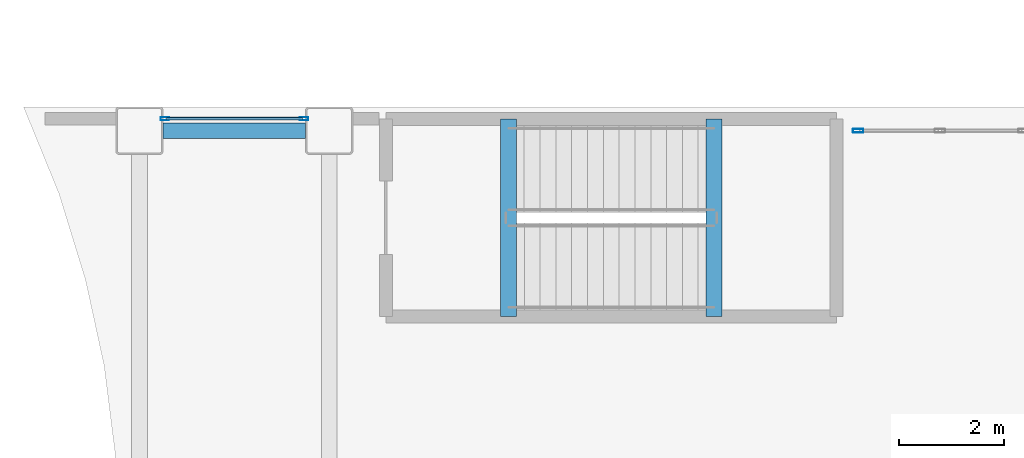
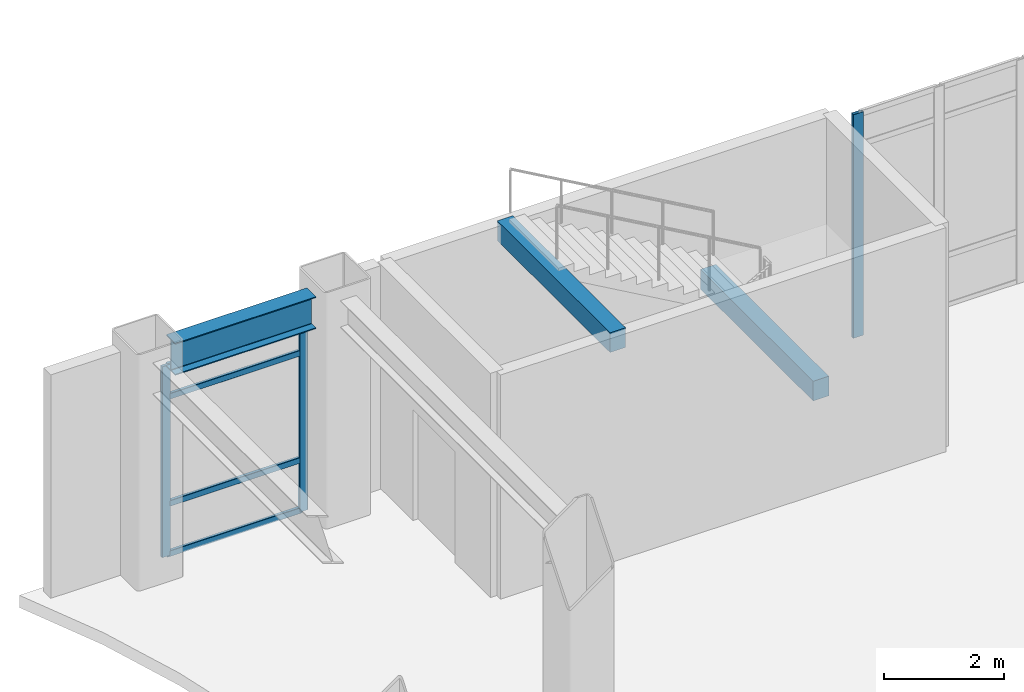
# One storey, part 68 of 172: 7 members, 3 beams, 2 elements without a shape of their own.
"""IFC4 building model written with IfcOpenShell, lengths in metres."""

import ifcopenshell
import ifcopenshell.guid

model = None  # the IFC model being written
_history = None  # IfcOwnerHistory: only IFC2X3 demands one
_inside = {}  # id of a spatial element -> (the spatial element, [elements in it])
_under = {}  # id of a project, library or spatial element -> (it, [spatial elements below it])
_declared = {}  # id of a project -> (the project, [libraries it declares])
_typed = {}  # id of a type object -> (the type object, [elements of that type])
_made_of = {}  # id of a material, layer set ... -> (it, [elements and type objects made of it])


def new_model(schema):
    """Start an empty IFC model of exactly this schema.

    Asked for "IFC4X3", IfcOpenShell would pick the latest addendum, in which some entities
    have other attributes; the version numbers below select the first issue.
    IFC2X3 requires an IfcOwnerHistory on every rooted entity: one is made here for all.
    """
    global model, _history
    if schema == "IFC4X3":
        model = ifcopenshell.file(schema_version=(4, 3, 0, 0))
    else:
        model = ifcopenshell.file(schema=schema)
    _inside.clear()
    _under.clear()
    _declared.clear()
    _typed.clear()
    _made_of.clear()
    _history = None
    if model.schema == "IFC2X3":
        org = make("IfcOrganization", Name="unknown")
        user = make(
            "IfcPersonAndOrganization",
            ThePerson=make("IfcPerson", FamilyName="unknown"),
            TheOrganization=org,
        )
        app = make(
            "IfcApplication",
            ApplicationDeveloper=org,
            Version="unknown",
            ApplicationFullName="unknown",
            ApplicationIdentifier="unknown",
        )
        _history = make(
            "IfcOwnerHistory",
            OwningUser=user,
            OwningApplication=app,
            ChangeAction="ADDED",
            CreationDate=0,
        )
    return model


def make(cls, **values):
    """One entity of the class cls with the attributes given. An attribute that is None is left unset."""
    return model.create_entity(
        cls, **{name: value for name, value in values.items() if value is not None}
    )


def rooted(cls, **values):
    """An entity with a GlobalId (a new one), such as an element, a storey or a relation."""
    return make(cls, GlobalId=ifcopenshell.guid.new(), OwnerHistory=_history, **values)


def si_unit(unit_type, name, prefix=None):
    """IfcSIUnit, for example si_unit("LENGTHUNIT", "METRE", prefix="MILLI")."""
    return make("IfcSIUnit", UnitType=unit_type, Prefix=prefix, Name=name)


def assignment(units):
    """IfcUnitAssignment: the units of a project."""
    return None if units is None else make("IfcUnitAssignment", Units=units)


def point(xyz):
    """IfcCartesianPoint."""
    return None if xyz is None else make("IfcCartesianPoint", Coordinates=xyz)


def direction(xyz):
    """IfcDirection."""
    return None if xyz is None else make("IfcDirection", DirectionRatios=xyz)


def frame(location, z_axis=None, x_axis=None):
    """IfcAxis2Placement3D, a coordinate frame: its origin and axes. An axis left out is left unset."""
    return make(
        "IfcAxis2Placement3D",
        Location=point(location),
        Axis=direction(z_axis),
        RefDirection=direction(x_axis),
    )


def frame_2d(location, x_axis=None):
    """IfcAxis2Placement2D, a coordinate frame in the plane: its origin and x axis."""
    return make(
        "IfcAxis2Placement2D", Location=point(location), RefDirection=direction(x_axis)
    )


def origin():
    """The frame at (0, 0, 0) with its axes left unset."""
    return frame((0.0, 0.0, 0.0))


def origin_2d():
    """The frame at (0, 0) in the plane with its x axis left unset."""
    return frame_2d((0.0, 0.0))


def place(relative_to, where):
    """IfcLocalPlacement: puts the frame where relative to a parent placement (None: the world)."""
    return make(
        "IfcLocalPlacement", PlacementRelTo=relative_to, RelativePlacement=where
    )


def context(
    kind, dimensions, precision=None, world=None, true_north=None, identifier=None
):
    """IfcGeometricRepresentationContext, for example the 3D "Model" context."""
    return make(
        "IfcGeometricRepresentationContext",
        ContextIdentifier=identifier,
        ContextType=kind,
        CoordinateSpaceDimension=dimensions,
        Precision=precision,
        WorldCoordinateSystem=world,
        TrueNorth=true_north,
    )


def subcontext(parent, identifier, kind, view, scale=None):
    """IfcGeometricRepresentationSubContext, for example "Body" below "Model"."""
    return make(
        "IfcGeometricRepresentationSubContext",
        ContextIdentifier=identifier,
        ContextType=kind,
        ParentContext=parent,
        TargetScale=scale,
        TargetView=view,
    )


def project(units=None, contexts=None):
    """IfcProject with its units and contexts."""
    return rooted(
        "IfcProject",
        Name="project",
        RepresentationContexts=contexts,
        UnitsInContext=assignment(units),
    )


def spatial(cls, under=None, at=None, **own):
    """A site, building, storey or space (cls), placed at a placement, below another one or the project."""
    s = rooted(cls, ObjectPlacement=at, **own)
    if under is not None:
        _under.setdefault(under.id(), (under, []))[1].append(s)
    return s


def profile(cls, at=None, kind="AREA", **sizes):
    """A parametric profile (cls). Its sizes go by their IFC names, for example OverallWidth=200.0."""
    return make(cls, ProfileType=kind, Position=at, **sizes)


def rectangle(**sizes):
    """IfcRectangleProfileDef."""
    return profile("IfcRectangleProfileDef", **sizes)


def hollow_rectangle(**sizes):
    """IfcRectangleHollowProfileDef."""
    return profile("IfcRectangleHollowProfileDef", **sizes)


def i_section(**sizes):
    """IfcIShapeProfileDef."""
    return profile("IfcIShapeProfileDef", **sizes)


def extrude(swept, where, along, depth):
    """IfcExtrudedAreaSolid: the profile swept, set in the frame where, extruded along a direction by depth."""
    return make(
        "IfcExtrudedAreaSolid",
        SweptArea=swept,
        Position=where,
        ExtrudedDirection=direction(along),
        Depth=depth,
    )


def shape(context_of_items, identifier, shape_type, items):
    """IfcShapeRepresentation: the items that make up one representation, for example the "Body"."""
    return make(
        "IfcShapeRepresentation",
        ContextOfItems=context_of_items,
        RepresentationIdentifier=identifier,
        RepresentationType=shape_type,
        Items=items,
    )


def material(Name=None, Category=None):
    """IfcMaterial."""
    return make("IfcMaterial", Name=Name, Category=Category)


def layer(
    of_material, thickness, ventilated=None, Name=None, Category=None, Priority=None
):
    """IfcMaterialLayer: one layer of a wall or slab, of a material (None: an air gap)."""
    return make(
        "IfcMaterialLayer",
        Material=of_material,
        LayerThickness=thickness,
        IsVentilated=ventilated,
        Name=Name,
        Category=Category,
        Priority=Priority,
    )


def layer_set(layers, Name=None):
    """IfcMaterialLayerSet."""
    return make("IfcMaterialLayerSet", MaterialLayers=layers, LayerSetName=Name)


def material_profile(
    of_material, cross_section, Name=None, Category=None, Priority=None
):
    """IfcMaterialProfile: a cross section and its material."""
    return make(
        "IfcMaterialProfile",
        Name=Name,
        Material=of_material,
        Profile=cross_section,
        Priority=Priority,
        Category=Category,
    )


def profile_set(profiles, Name=None, composite=None):
    """IfcMaterialProfileSet."""
    return make(
        "IfcMaterialProfileSet",
        Name=Name,
        MaterialProfiles=profiles,
        CompositeProfile=composite,
    )


def made_of(thing, what):
    """Note that an element or type object is made of a material, layer set ...; save() writes the relation."""
    if what is not None:
        _made_of.setdefault(what.id(), (what, []))[1].append(thing)
    return thing


def type_object(cls, material=None, **own):
    """A type object (cls), such as IfcWallType, which elements share."""
    return made_of(rooted(cls, **own), material)


def element(
    cls,
    number,
    at=None,
    inside=None,
    cuts=None,
    type_object=None,
    material=None,
    context=None,
    identifier="Body",
    shape_type=None,
    held_by="IfcProductDefinitionShape",
    body=None,
    shapes=None,
    **own,
):
    """One element of the class cls, such as IfcWall. Its Tag is "e" and its number.

    at: its placement. inside: the storey or other place that contains it. cuts: it is an
    opening in that element (IfcRelVoidsElement). A single representation is given by context,
    identifier, shape_type and body (its items); several are given by shapes. held_by: the class
    of the entity that holds the representations. save() writes the other relations.
    """
    e = rooted(cls, Tag="e%d" % number, ObjectPlacement=at, **own)
    if body is not None:
        shapes = [shape(context, identifier, shape_type, body)]
    if shapes is not None:
        e.Representation = make(held_by, Representations=shapes)
    if inside is not None:
        _inside.setdefault(inside.id(), (inside, []))[1].append(e)
    if cuts is not None:
        rooted(
            "IfcRelVoidsElement", RelatingBuildingElement=cuts, RelatedOpeningElement=e
        )
    if type_object is not None:
        _typed.setdefault(type_object.id(), (type_object, []))[1].append(e)
    return made_of(e, material)


def aggregate(whole, parts):
    """IfcRelAggregates: a whole, such as a stair, and the parts it consists of."""
    return rooted("IfcRelAggregates", RelatingObject=whole, RelatedObjects=parts)


def save(model, path):
    """Write the relations noted so far, then the file.

    IfcRelAggregates (storeys below a building ...), IfcRelContainedInSpatialStructure (elements
    in a storey), IfcRelDefinesByType, IfcRelAssociatesMaterial and IfcRelDeclares: one each for
    every whole, place, type object, material and project.
    """
    for whole, parts in _under.values():
        aggregate(whole, parts)
    for where, things in _inside.values():
        rooted(
            "IfcRelContainedInSpatialStructure",
            RelatedElements=things,
            RelatingStructure=where,
        )
    for kind, things in _typed.values():
        rooted("IfcRelDefinesByType", RelatedObjects=things, RelatingType=kind)
    for what, things in _made_of.values():
        rooted("IfcRelAssociatesMaterial", RelatedObjects=things, RelatingMaterial=what)
    for by, libraries in _declared.values():
        rooted("IfcRelDeclares", RelatingContext=by, RelatedDefinitions=libraries)
    model.write(path)


model = new_model("IFC4")

# Units and contexts
model_context = context("Model", 3, precision=1e-05, world=origin(), true_north=direction((0.0, 1.0)))
body_context = subcontext(model_context, "Body", "Model", "MODEL_VIEW")
ifc_project = project(units=[si_unit("LENGTHUNIT", "METRE"), si_unit("AREAUNIT", "SQUARE_METRE"), si_unit("VOLUMEUNIT", "CUBIC_METRE"), si_unit("PLANEANGLEUNIT", "RADIAN"), si_unit("MASSUNIT", "GRAM", prefix="KILO")], contexts=[model_context])

# Site, building, storey
site_placement = place(None, origin())
site = spatial("IfcSite", under=ifc_project, at=site_placement, CompositionType="ELEMENT")
building_placement = place(site_placement, origin())
building = spatial("IfcBuilding", under=site, at=building_placement, Name="Kazehara Bluff Congress Hotel", CompositionType="ELEMENT")
storey_placement = place(building_placement, frame((0.0, 0.0, 5.39990234375)))
storey = spatial("IfcBuildingStorey", under=building, at=storey_placement, Name="L01", CompositionType="ELEMENT", Elevation=5.39990234375)

# Curtain wall, members
ifc_material_1 = material(Name="Anodised aluminium", Category="aluminium")
ifc_layer_1 = layer(ifc_material_1, 0.159912109375)
ifc_layer_set_1 = layer_set([ifc_layer_1], Name="Anodised aluminium")
curtain_wall_type_1 = type_object("IfcCurtainWallType", Name="TP-CW-107", PredefinedType="NOTDEFINED", material=ifc_layer_set_1)
curtain_wall_1_placement = place(storey_placement, origin())
curtain_wall_1 = element("IfcCurtainWall", 1, at=curtain_wall_1_placement, inside=storey, type_object=curtain_wall_type_1, Name="L01 curtain wall CW-107 CW-ENC-V1-L01-660-11378", PredefinedType="NOTDEFINED")
ifc_material_2 = material(Name="Anodised aluminium", Category="aluminium")
ifc_material_profile_1 = material_profile(ifc_material_2, hollow_rectangle(XDim=0.06005859375, YDim=0.159912109375, WallThickness=0.00390625, InnerFilletRadius=0.00390625, OuterFilletRadius=0.008056640625, at=origin_2d()))
ifc_profile_set_1 = profile_set([ifc_material_profile_1], Name="Anodised aluminium")
member_type_1 = type_object("IfcMemberType", Name="TP-CWM-01", PredefinedType="MULLION", material=ifc_profile_set_1)
member_1_placement = place(storey_placement, frame((5.280029296875, 113.780029296875, 0.0), z_axis=(0.0, 0.0, 1.0), x_axis=(0.0, 1.0, 0.0)))
member_1 = element("IfcMember", 2, at=member_1_placement, type_object=member_type_1, Name="CW-107 mullion 1", PredefinedType="MULLION", context=body_context, shape_type="SweptSolid", body=[
    extrude(hollow_rectangle(XDim=0.06005859375, YDim=0.159912109375, WallThickness=0.00390625, InnerFilletRadius=0.00390625, OuterFilletRadius=0.008056640625, at=origin_2d()), origin(), (0.0, 0.0, 1.0), 3.875),
])
member_2_placement = place(storey_placement, frame((7.919921875, 113.780029296875, 0.0), z_axis=(0.0, 0.0, 1.0), x_axis=(0.0, 1.0, 0.0)))
member_2 = element("IfcMember", 3, at=member_2_placement, type_object=member_type_1, Name="CW-107 mullion 2", PredefinedType="MULLION", context=body_context, shape_type="SweptSolid", body=[
    extrude(hollow_rectangle(XDim=0.06005859375, YDim=0.159912109375, WallThickness=0.00390625, InnerFilletRadius=0.00390625, OuterFilletRadius=0.008056640625, at=origin_2d()), origin(), (0.0, 0.0, 1.0), 3.875),
])

# Curtain wall, member
ifc_material_3 = material(Name="Anodised aluminium", Category="aluminium")
ifc_layer_2 = layer(ifc_material_3, 0.159912109375)
ifc_layer_set_2 = layer_set([ifc_layer_2], Name="Anodised aluminium")
curtain_wall_type_2 = type_object("IfcCurtainWallType", Name="TP-CW-07", PredefinedType="NOTDEFINED", material=ifc_layer_set_2)
curtain_wall_2_placement = place(storey_placement, origin())
curtain_wall_2 = element("IfcCurtainWall", 4, at=curtain_wall_2_placement, inside=storey, type_object=curtain_wall_type_2, Name="L01 curtain wall CW-07 CW-V1-L01-Y11355-1840", PredefinedType="NOTDEFINED")
ifc_material_4 = material(Name="Anodised aluminium", Category="aluminium")
ifc_material_profile_2 = material_profile(ifc_material_4, hollow_rectangle(XDim=0.070068359375, YDim=0.199951171875, WallThickness=0.0048828125, InnerFilletRadius=0.0048828125, OuterFilletRadius=0.010009765625, at=origin_2d()))
ifc_profile_set_2 = profile_set([ifc_material_profile_2], Name="Anodised aluminium")
member_type_2 = type_object("IfcMemberType", Name="TP-CWM-03", PredefinedType="MULLION", material=ifc_profile_set_2)
member_3_placement = place(storey_placement, frame((18.43505859375, 113.550048828125, 0.0), z_axis=(0.0, 0.0, 1.0), x_axis=(0.0, 1.0, 0.0)))
member_3 = element("IfcMember", 5, at=member_3_placement, type_object=member_type_2, Name="CW-07 mullion 1", PredefinedType="MULLION", context=body_context, shape_type="SweptSolid", body=[
    extrude(hollow_rectangle(XDim=0.070068359375, YDim=0.199951171875, WallThickness=0.0048828125, InnerFilletRadius=0.0048828125, OuterFilletRadius=0.010009765625, at=origin_2d()), origin(), (0.0, 0.0, 1.0), 4.53515625),
])
aggregate(curtain_wall_2, [member_3])

# Member
ifc_material_5 = material(Name="Anodised aluminium", Category="aluminium")
ifc_material_profile_3 = material_profile(ifc_material_5, hollow_rectangle(XDim=0.06005859375, YDim=0.1201171875, WallThickness=0.00390625, InnerFilletRadius=0.00390625, OuterFilletRadius=0.008056640625, at=origin_2d()))
ifc_profile_set_3 = profile_set([ifc_material_profile_3], Name="Anodised aluminium")
member_type_3 = type_object("IfcMemberType", Name="TP-CWT-01", PredefinedType="USERDEFINED", material=ifc_profile_set_3)
member_4_placement = place(storey_placement, frame((5.31005859375, 113.780029296875, 0.030029296875), z_axis=(1.0, 0.0, 0.0), x_axis=(0.0, 1.0, 0.0)))
member_4 = element("IfcMember", 6, at=member_4_placement, type_object=member_type_3, Name="CW-107 transom 1.1", ObjectType="TRANSOM", PredefinedType="USERDEFINED", context=body_context, shape_type="SweptSolid", body=[
    extrude(hollow_rectangle(XDim=0.06005859375, YDim=0.1201171875, WallThickness=0.00390625, InnerFilletRadius=0.00390625, OuterFilletRadius=0.008056640625, at=origin_2d()), origin(), (0.0, 0.0, 1.0), 2.579833984375),
])

member_5_placement = place(storey_placement, frame((5.31005859375, 113.780029296875, 1.050048828125), z_axis=(1.0, 0.0, 0.0), x_axis=(0.0, 1.0, 0.0)))
member_5 = element("IfcMember", 7, at=member_5_placement, type_object=member_type_3, Name="CW-107 transom 1.2", ObjectType="TRANSOM", PredefinedType="USERDEFINED", context=body_context, shape_type="SweptSolid", body=[
    extrude(hollow_rectangle(XDim=0.06005859375, YDim=0.1201171875, WallThickness=0.00390625, InnerFilletRadius=0.00390625, OuterFilletRadius=0.008056640625, at=origin_2d()), origin(), (0.0, 0.0, 1.0), 2.579833984375),
])

member_6_placement = place(storey_placement, frame((5.31005859375, 113.780029296875, 3.22509765625), z_axis=(1.0, 0.0, 0.0), x_axis=(0.0, 1.0, 0.0)))
member_6 = element("IfcMember", 8, at=member_6_placement, type_object=member_type_3, Name="CW-107 transom 1.3", ObjectType="TRANSOM", PredefinedType="USERDEFINED", context=body_context, shape_type="SweptSolid", body=[
    extrude(hollow_rectangle(XDim=0.06005859375, YDim=0.1201171875, WallThickness=0.00390625, InnerFilletRadius=0.00390625, OuterFilletRadius=0.008056640625, at=origin_2d()), origin(), (0.0, 0.0, 1.0), 2.579833984375),
])

member_7_placement = place(storey_placement, frame((5.31005859375, 113.780029296875, 3.84521484375), z_axis=(1.0, 0.0, 0.0), x_axis=(0.0, 1.0, 0.0)))
member_7 = element("IfcMember", 9, at=member_7_placement, type_object=member_type_3, Name="CW-107 transom 1.4", ObjectType="TRANSOM", PredefinedType="USERDEFINED", context=body_context, shape_type="SweptSolid", body=[
    extrude(hollow_rectangle(XDim=0.06005859375, YDim=0.1201171875, WallThickness=0.00390625, InnerFilletRadius=0.00390625, OuterFilletRadius=0.008056640625, at=origin_2d()), origin(), (0.0, 0.0, 1.0), 2.579833984375),
])

aggregate(curtain_wall_1, [member_1, member_2, member_4, member_5, member_6, member_7])

# Beams
ifc_material_6 = material(Name="Steel SN490B", Category="steel")
ifc_material_profile_4 = material_profile(ifc_material_6, i_section(OverallWidth=0.300048828125, OverallDepth=0.64990234375, WebThickness=0.011962890625, FlangeThickness=0.02001953125, FilletRadius=0.012939453125, at=origin_2d()))
ifc_profile_set_4 = profile_set([ifc_material_profile_4], Name="Steel SN490B")
beam_type_1 = type_object("IfcBeamType", Name="TP-G-03", PredefinedType="BEAM", material=ifc_profile_set_4)
beam_placement = place(storey_placement, frame((5.25, 113.550048828125, 4.22509765625), z_axis=(1.0, 0.0, 0.0), x_axis=(0.0, 1.0, 0.0)))
element("IfcBeam", 10, at=beam_placement, inside=storey, type_object=beam_type_1, Name="L01 girder G-03 38", PredefinedType="BEAM", context=body_context, shape_type="SweptSolid", body=[
    extrude(i_section(OverallWidth=0.300048828125, OverallDepth=0.64990234375, WebThickness=0.011962890625, FlangeThickness=0.02001953125, FilletRadius=0.012939453125, at=origin_2d()), origin(), (0.0, 0.0, 1.0), 2.699951171875),
])
ifc_material_7 = material(Name="Concrete C40/50", Category="concrete")
ifc_material_profile_5 = material_profile(ifc_material_7, rectangle(XDim=0.300048828125, YDim=0.39990234375, at=origin_2d()))
ifc_profile_set_5 = profile_set([ifc_material_profile_5], Name="Concrete C40/50")
beam_type_2 = type_object("IfcBeamType", Name="TP-LN-02", PredefinedType="LINTEL", material=ifc_profile_set_5)
for number, where, z_axis, x_axis, name in (
    (11, (15.699951171875, 110.02490234375, 2.02001953125), (0.0, 1.0, 0.0), (-1.0, 0.0, 0.0), "L01 ST-01 half-landing support beam 1"),
    (12, (11.800048828125, 110.02490234375, 4.3701171875), (0.0, 1.0, 0.0), (-1.0, 0.0, 0.0), "L02 ST-01 stairwell trimmer beam"),
):
    element("IfcBeam", number, at=place(storey_placement, frame(where, z_axis=z_axis, x_axis=x_axis)), inside=storey, type_object=beam_type_2, Name=name, PredefinedType="LINTEL", context=body_context, shape_type="SweptSolid", body=[
        extrude(rectangle(XDim=0.300048828125, YDim=0.39990234375, at=origin_2d()), origin(), (0.0, 0.0, 1.0), 3.75),
    ])

save(model, "model.ifc")
